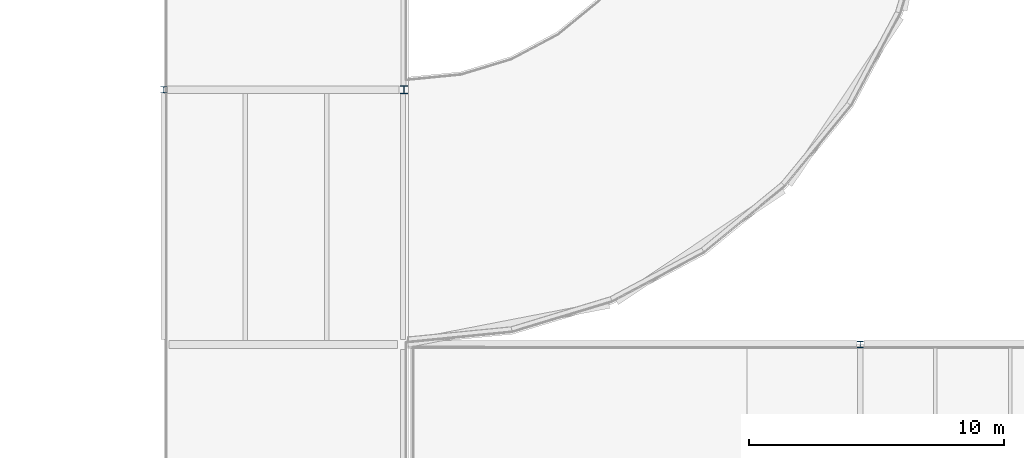
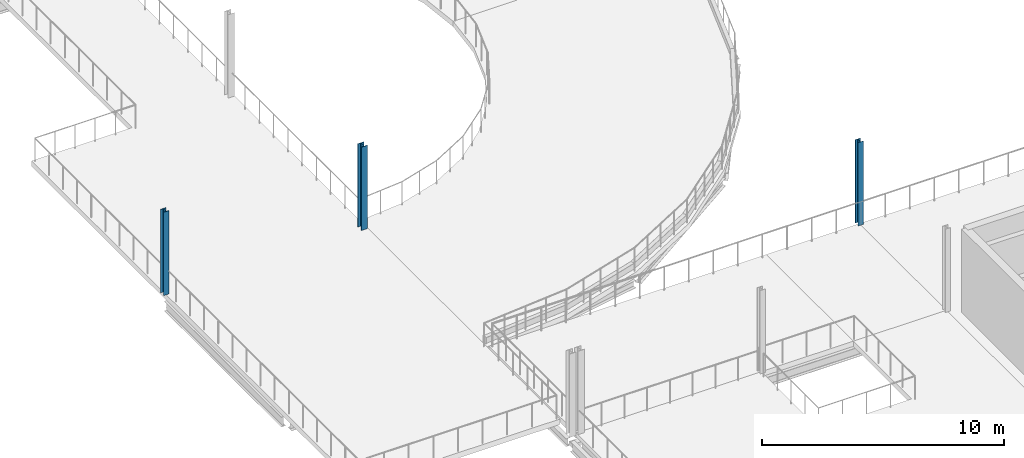
# One storey, part 12 of 58: 3 columns.
"""IFC4 building model written with IfcOpenShell, lengths in metres."""

from ifc_helpers import new_model, si_unit, direction, frame, origin, origin_2d, place, context, subcontext, project, spatial, i_section, extrude, material, material_profile, profile_set, type_object, element, save


model = new_model("IFC4")

# Units and contexts
model_context = context("Model", 3, precision=1e-05, world=origin(), true_north=direction((0.0, 1.0)))
body_context = subcontext(model_context, "Body", "Model", "MODEL_VIEW")
ifc_project = project(units=[si_unit("LENGTHUNIT", "METRE"), si_unit("AREAUNIT", "SQUARE_METRE"), si_unit("VOLUMEUNIT", "CUBIC_METRE"), si_unit("PLANEANGLEUNIT", "RADIAN"), si_unit("MASSUNIT", "GRAM", prefix="KILO")], contexts=[model_context])

# Site, building, storey
site_placement = place(None, origin())
site = spatial("IfcSite", under=ifc_project, at=site_placement, CompositionType="ELEMENT")
building_placement = place(site_placement, origin())
building = spatial("IfcBuilding", under=site, at=building_placement, Name="Yeouljin Market Hall", CompositionType="ELEMENT")
storey_placement = place(building_placement, frame((0.0, 0.0, 10.800048828125)))
storey = spatial("IfcBuildingStorey", under=building, at=storey_placement, Name="L02", CompositionType="ELEMENT", Elevation=10.800048828125)

# Columns
ifc_material_1 = material(Name="Steel SM355", Category="steel")
ifc_material_profile_1 = material_profile(ifc_material_1, i_section(OverallWidth=0.25, OverallDepth=0.25, WebThickness=0.009033203125, FlangeThickness=0.013916015625, FilletRadius=0.01611328125, at=origin_2d()), Name="H-250x250x9x14")
ifc_profile_set_1 = profile_set([ifc_material_profile_1], Name="Steel SM355")
column_type_1 = type_object("IfcColumnType", Name="Col_H-250x250x9x14", PredefinedType="COLUMN", material=ifc_profile_set_1)
for number, where, z_axis, x_axis, name in (
    (1, (131.39990234375, 46.0, 0.0), (0.0, 0.0, 1.0), (1.0, 0.0, 0.0), "Column G-15-05 (L02)"),
    (2, (158.739990234375, 36.0, 0.0), (0.0, 0.0, 1.0), (1.0, 0.0, 0.0), "Column G-19-04 (L02)"),
):
    element("IfcColumn", number, at=place(storey_placement, frame(where, z_axis=z_axis, x_axis=x_axis)), inside=storey, type_object=column_type_1, Name=name, PredefinedType="COLUMN", context=body_context, shape_type="SweptSolid", body=[
        extrude(i_section(OverallWidth=0.25, OverallDepth=0.25, WebThickness=0.009033203125, FlangeThickness=0.013916015625, FilletRadius=0.01611328125, at=origin_2d()), origin(), (0.0, 0.0, 1.0), 4.199951171875),
    ])
ifc_material_2 = material(Name="Steel SM355", Category="steel")
ifc_material_profile_2 = material_profile(ifc_material_2, i_section(OverallWidth=0.300048828125, OverallDepth=0.300048828125, WebThickness=0.010009765625, FlangeThickness=0.014892578125, FilletRadius=0.01806640625, at=origin_2d()), Name="H-300x300x10x15")
ifc_profile_set_2 = profile_set([ifc_material_profile_2], Name="Steel SM355")
column_type_2 = type_object("IfcColumnType", Name="Col_H-300x300x10x15", PredefinedType="COLUMN", material=ifc_profile_set_2)
column_placement = place(storey_placement, frame((140.8349609375, 46.0, 0.0), z_axis=(0.0, 0.0, 1.0), x_axis=(1.0, 0.0, 0.0)))
element("IfcColumn", 3, at=column_placement, inside=storey, type_object=column_type_2, Name="Column G-16-05 (L02)", PredefinedType="COLUMN", context=body_context, shape_type="SweptSolid", body=[
    extrude(i_section(OverallWidth=0.300048828125, OverallDepth=0.300048828125, WebThickness=0.010009765625, FlangeThickness=0.014892578125, FilletRadius=0.01806640625, at=origin_2d()), origin(), (0.0, 0.0, 1.0), 4.199951171875),
])

save(model, "model.ifc")
